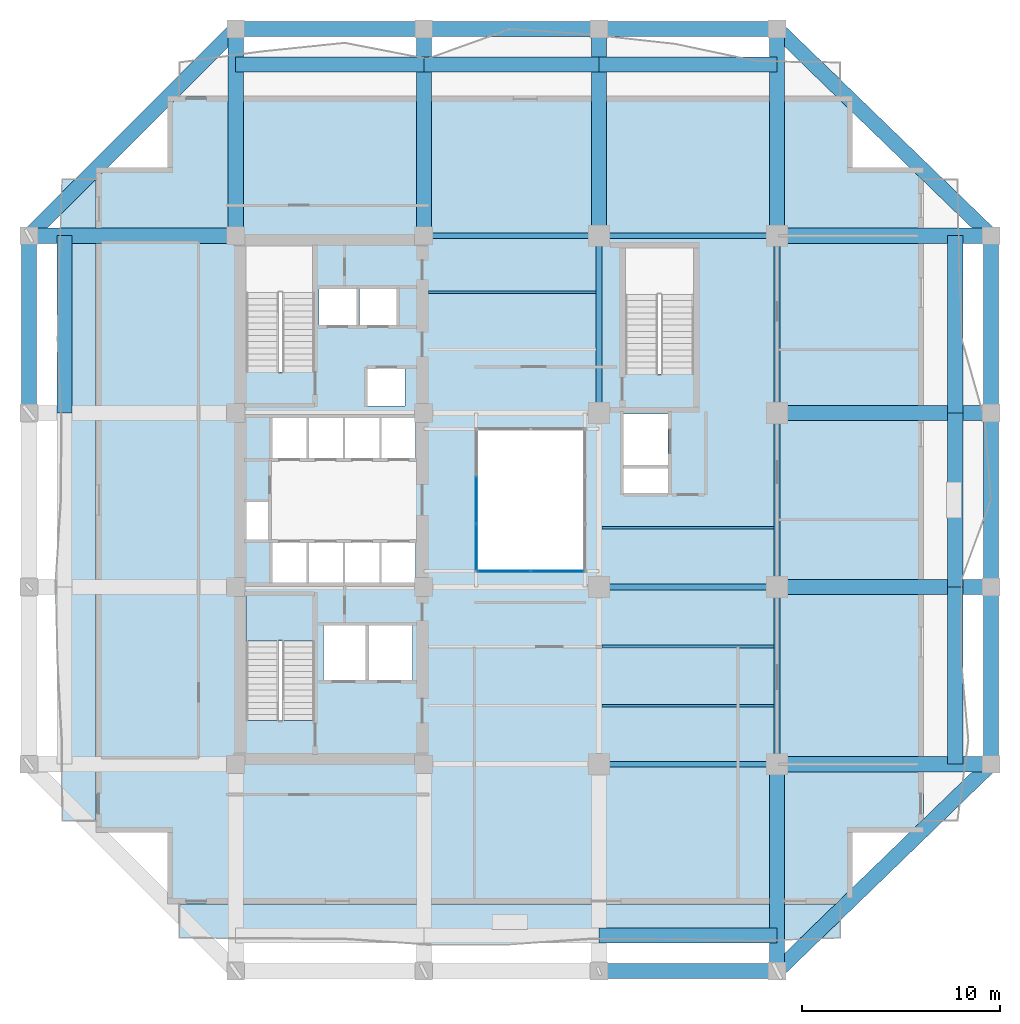
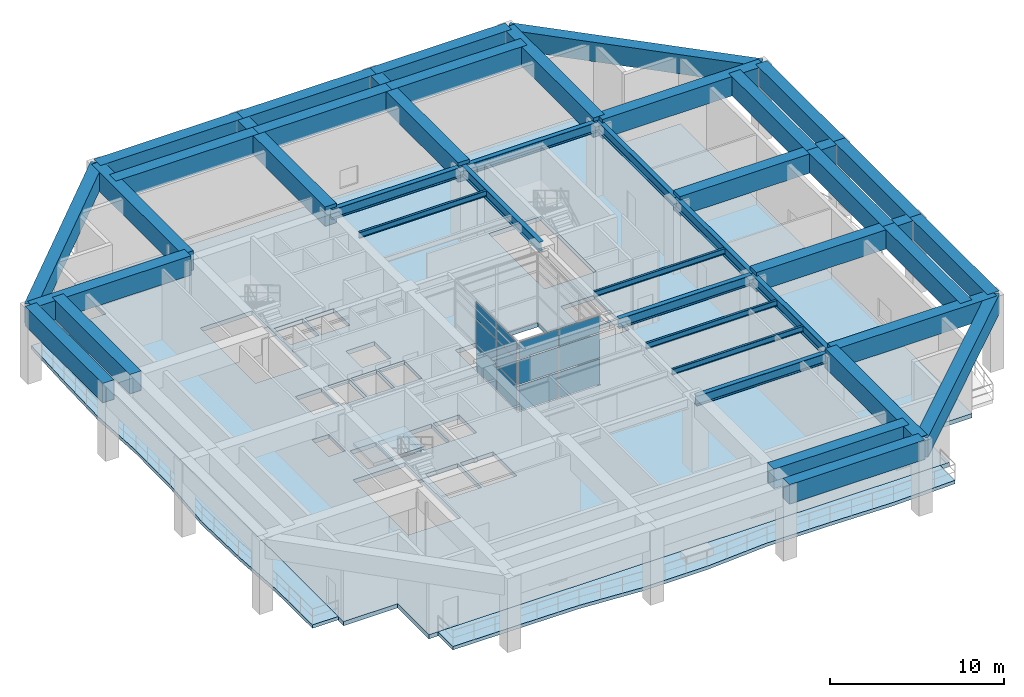
# One storey, part 4 of 13: 41 beams, 12 plates, 4 slabs, 3 elements without a shape of their own.
"""IFC4 building model written with IfcOpenShell, lengths in metres."""

import ifcopenshell
import ifcopenshell.guid

model = None  # the IFC model being written
_history = None  # IfcOwnerHistory: only IFC2X3 demands one
_inside = {}  # id of a spatial element -> (the spatial element, [elements in it])
_under = {}  # id of a project, library or spatial element -> (it, [spatial elements below it])
_declared = {}  # id of a project -> (the project, [libraries it declares])
_typed = {}  # id of a type object -> (the type object, [elements of that type])
_made_of = {}  # id of a material, layer set ... -> (it, [elements and type objects made of it])


def new_model(schema):
    """Start an empty IFC model of exactly this schema.

    Asked for "IFC4X3", IfcOpenShell would pick the latest addendum, in which some entities
    have other attributes; the version numbers below select the first issue.
    IFC2X3 requires an IfcOwnerHistory on every rooted entity: one is made here for all.
    """
    global model, _history
    if schema == "IFC4X3":
        model = ifcopenshell.file(schema_version=(4, 3, 0, 0))
    else:
        model = ifcopenshell.file(schema=schema)
    _inside.clear()
    _under.clear()
    _declared.clear()
    _typed.clear()
    _made_of.clear()
    _history = None
    if model.schema == "IFC2X3":
        org = make("IfcOrganization", Name="unknown")
        user = make(
            "IfcPersonAndOrganization",
            ThePerson=make("IfcPerson", FamilyName="unknown"),
            TheOrganization=org,
        )
        app = make(
            "IfcApplication",
            ApplicationDeveloper=org,
            Version="unknown",
            ApplicationFullName="unknown",
            ApplicationIdentifier="unknown",
        )
        _history = make(
            "IfcOwnerHistory",
            OwningUser=user,
            OwningApplication=app,
            ChangeAction="ADDED",
            CreationDate=0,
        )
    return model


def make(cls, **values):
    """One entity of the class cls with the attributes given. An attribute that is None is left unset."""
    return model.create_entity(
        cls, **{name: value for name, value in values.items() if value is not None}
    )


def rooted(cls, **values):
    """An entity with a GlobalId (a new one), such as an element, a storey or a relation."""
    return make(cls, GlobalId=ifcopenshell.guid.new(), OwnerHistory=_history, **values)


def si_unit(unit_type, name, prefix=None):
    """IfcSIUnit, for example si_unit("LENGTHUNIT", "METRE", prefix="MILLI")."""
    return make("IfcSIUnit", UnitType=unit_type, Prefix=prefix, Name=name)


def assignment(units):
    """IfcUnitAssignment: the units of a project."""
    return None if units is None else make("IfcUnitAssignment", Units=units)


def point(xyz):
    """IfcCartesianPoint."""
    return None if xyz is None else make("IfcCartesianPoint", Coordinates=xyz)


def direction(xyz):
    """IfcDirection."""
    return None if xyz is None else make("IfcDirection", DirectionRatios=xyz)


def frame(location, z_axis=None, x_axis=None):
    """IfcAxis2Placement3D, a coordinate frame: its origin and axes. An axis left out is left unset."""
    return make(
        "IfcAxis2Placement3D",
        Location=point(location),
        Axis=direction(z_axis),
        RefDirection=direction(x_axis),
    )


def frame_2d(location, x_axis=None):
    """IfcAxis2Placement2D, a coordinate frame in the plane: its origin and x axis."""
    return make(
        "IfcAxis2Placement2D", Location=point(location), RefDirection=direction(x_axis)
    )


def origin():
    """The frame at (0, 0, 0) with its axes left unset."""
    return frame((0.0, 0.0, 0.0))


def origin_2d():
    """The frame at (0, 0) in the plane with its x axis left unset."""
    return frame_2d((0.0, 0.0))


def place(relative_to, where):
    """IfcLocalPlacement: puts the frame where relative to a parent placement (None: the world)."""
    return make(
        "IfcLocalPlacement", PlacementRelTo=relative_to, RelativePlacement=where
    )


def context(
    kind, dimensions, precision=None, world=None, true_north=None, identifier=None
):
    """IfcGeometricRepresentationContext, for example the 3D "Model" context."""
    return make(
        "IfcGeometricRepresentationContext",
        ContextIdentifier=identifier,
        ContextType=kind,
        CoordinateSpaceDimension=dimensions,
        Precision=precision,
        WorldCoordinateSystem=world,
        TrueNorth=true_north,
    )


def subcontext(parent, identifier, kind, view, scale=None):
    """IfcGeometricRepresentationSubContext, for example "Body" below "Model"."""
    return make(
        "IfcGeometricRepresentationSubContext",
        ContextIdentifier=identifier,
        ContextType=kind,
        ParentContext=parent,
        TargetScale=scale,
        TargetView=view,
    )


def project(units=None, contexts=None):
    """IfcProject with its units and contexts."""
    return rooted(
        "IfcProject",
        Name="project",
        RepresentationContexts=contexts,
        UnitsInContext=assignment(units),
    )


def spatial(cls, under=None, at=None, **own):
    """A site, building, storey or space (cls), placed at a placement, below another one or the project."""
    s = rooted(cls, ObjectPlacement=at, **own)
    if under is not None:
        _under.setdefault(under.id(), (under, []))[1].append(s)
    return s


def polyline(points):
    """IfcPolyline through the points."""
    return make("IfcPolyline", Points=[point(p) for p in points])


def profile(cls, at=None, kind="AREA", **sizes):
    """A parametric profile (cls). Its sizes go by their IFC names, for example OverallWidth=200.0."""
    return make(cls, ProfileType=kind, Position=at, **sizes)


def rectangle(**sizes):
    """IfcRectangleProfileDef."""
    return profile("IfcRectangleProfileDef", **sizes)


def i_section(**sizes):
    """IfcIShapeProfileDef."""
    return profile("IfcIShapeProfileDef", **sizes)


def outline(outer, holes=None, kind="AREA"):
    """IfcArbitraryClosedProfileDef: a profile drawn as a closed curve; with holes, ...WithVoids."""
    if holes is None:
        return make("IfcArbitraryClosedProfileDef", ProfileType=kind, OuterCurve=outer)
    return make(
        "IfcArbitraryProfileDefWithVoids",
        ProfileType=kind,
        OuterCurve=outer,
        InnerCurves=holes,
    )


def extrude(swept, where, along, depth):
    """IfcExtrudedAreaSolid: the profile swept, set in the frame where, extruded along a direction by depth."""
    return make(
        "IfcExtrudedAreaSolid",
        SweptArea=swept,
        Position=where,
        ExtrudedDirection=direction(along),
        Depth=depth,
    )


def shape(context_of_items, identifier, shape_type, items):
    """IfcShapeRepresentation: the items that make up one representation, for example the "Body"."""
    return make(
        "IfcShapeRepresentation",
        ContextOfItems=context_of_items,
        RepresentationIdentifier=identifier,
        RepresentationType=shape_type,
        Items=items,
    )


def material(Name=None, Category=None):
    """IfcMaterial."""
    return make("IfcMaterial", Name=Name, Category=Category)


def layer(
    of_material, thickness, ventilated=None, Name=None, Category=None, Priority=None
):
    """IfcMaterialLayer: one layer of a wall or slab, of a material (None: an air gap)."""
    return make(
        "IfcMaterialLayer",
        Material=of_material,
        LayerThickness=thickness,
        IsVentilated=ventilated,
        Name=Name,
        Category=Category,
        Priority=Priority,
    )


def layer_set(layers, Name=None):
    """IfcMaterialLayerSet."""
    return make("IfcMaterialLayerSet", MaterialLayers=layers, LayerSetName=Name)


def material_profile(
    of_material, cross_section, Name=None, Category=None, Priority=None
):
    """IfcMaterialProfile: a cross section and its material."""
    return make(
        "IfcMaterialProfile",
        Name=Name,
        Material=of_material,
        Profile=cross_section,
        Priority=Priority,
        Category=Category,
    )


def profile_set(profiles, Name=None, composite=None):
    """IfcMaterialProfileSet."""
    return make(
        "IfcMaterialProfileSet",
        Name=Name,
        MaterialProfiles=profiles,
        CompositeProfile=composite,
    )


def made_of(thing, what):
    """Note that an element or type object is made of a material, layer set ...; save() writes the relation."""
    if what is not None:
        _made_of.setdefault(what.id(), (what, []))[1].append(thing)
    return thing


def type_object(cls, material=None, **own):
    """A type object (cls), such as IfcWallType, which elements share."""
    return made_of(rooted(cls, **own), material)


def element(
    cls,
    number,
    at=None,
    inside=None,
    cuts=None,
    type_object=None,
    material=None,
    context=None,
    identifier="Body",
    shape_type=None,
    held_by="IfcProductDefinitionShape",
    body=None,
    shapes=None,
    **own,
):
    """One element of the class cls, such as IfcWall. Its Tag is "e" and its number.

    at: its placement. inside: the storey or other place that contains it. cuts: it is an
    opening in that element (IfcRelVoidsElement). A single representation is given by context,
    identifier, shape_type and body (its items); several are given by shapes. held_by: the class
    of the entity that holds the representations. save() writes the other relations.
    """
    e = rooted(cls, Tag="e%d" % number, ObjectPlacement=at, **own)
    if body is not None:
        shapes = [shape(context, identifier, shape_type, body)]
    if shapes is not None:
        e.Representation = make(held_by, Representations=shapes)
    if inside is not None:
        _inside.setdefault(inside.id(), (inside, []))[1].append(e)
    if cuts is not None:
        rooted(
            "IfcRelVoidsElement", RelatingBuildingElement=cuts, RelatedOpeningElement=e
        )
    if type_object is not None:
        _typed.setdefault(type_object.id(), (type_object, []))[1].append(e)
    return made_of(e, material)


def aggregate(whole, parts):
    """IfcRelAggregates: a whole, such as a stair, and the parts it consists of."""
    return rooted("IfcRelAggregates", RelatingObject=whole, RelatedObjects=parts)


def save(model, path):
    """Write the relations noted so far, then the file.

    IfcRelAggregates (storeys below a building ...), IfcRelContainedInSpatialStructure (elements
    in a storey), IfcRelDefinesByType, IfcRelAssociatesMaterial and IfcRelDeclares: one each for
    every whole, place, type object, material and project.
    """
    for whole, parts in _under.values():
        aggregate(whole, parts)
    for where, things in _inside.values():
        rooted(
            "IfcRelContainedInSpatialStructure",
            RelatedElements=things,
            RelatingStructure=where,
        )
    for kind, things in _typed.values():
        rooted("IfcRelDefinesByType", RelatedObjects=things, RelatingType=kind)
    for what, things in _made_of.values():
        rooted("IfcRelAssociatesMaterial", RelatedObjects=things, RelatingMaterial=what)
    for by, libraries in _declared.values():
        rooted("IfcRelDeclares", RelatingContext=by, RelatedDefinitions=libraries)
    model.write(path)


model = new_model("IFC4")

# Units and contexts
model_context = context("Model", 3, precision=1e-05, world=origin(), true_north=direction((0.0, 1.0)))
body_context = subcontext(model_context, "Body", "Model", "MODEL_VIEW")
ifc_project = project(units=[si_unit("LENGTHUNIT", "METRE"), si_unit("AREAUNIT", "SQUARE_METRE"), si_unit("VOLUMEUNIT", "CUBIC_METRE"), si_unit("PLANEANGLEUNIT", "RADIAN"), si_unit("MASSUNIT", "GRAM", prefix="KILO")], contexts=[model_context])

# Site, building, storey
site_placement = place(None, origin())
site = spatial("IfcSite", under=ifc_project, at=site_placement, CompositionType="ELEMENT")
building_placement = place(site_placement, origin())
building = spatial("IfcBuilding", under=site, at=building_placement, Name="Kundavana Baori Tower", CompositionType="ELEMENT")
storey_placement = place(building_placement, frame((0.0, 0.0, 98.800048828125)))
storey = spatial("IfcBuildingStorey", under=building, at=storey_placement, Name="L23", CompositionType="ELEMENT", Elevation=98.800048828125)

# Beams
ifc_material_1 = material(Name="Structural Steel S355JR", Category="steel")
ifc_material_profile_1 = material_profile(ifc_material_1, i_section(OverallWidth=0.139892578125, OverallDepth=0.39990234375, WebThickness=0.0087890625, FlangeThickness=0.01611328125, FilletRadius=0.013916015625, at=origin_2d()), Name="ISMB 400")
ifc_profile_set_1 = profile_set([ifc_material_profile_1], Name="Structural Steel S355JR")
beam_type_1 = type_object("IfcBeamType", Name="BM-JST-400", PredefinedType="JOIST", material=ifc_profile_set_1)
beam_1_placement = place(storey_placement, frame((25.179931640625, 39.10009765625, 4.75), z_axis=(1.0, 0.0, 0.0), x_axis=(0.0, 1.0, 0.0)))
element("IfcBeam", 1, at=beam_1_placement, inside=storey, type_object=beam_type_1, Name="L23 Central Bay Composite Floor Joist C4", PredefinedType="JOIST", context=body_context, shape_type="SweptSolid", body=[
    extrude(i_section(OverallWidth=0.139892578125, OverallDepth=0.39990234375, WebThickness=0.0087890625, FlangeThickness=0.01611328125, FilletRadius=0.013916015625, at=origin_2d()), origin(), (0.0, 0.0, 1.0), 8.469970703125),
])
for number, where, z_axis, x_axis, name in (
    (2, (33.949951171875, 18.199951171875, 4.75), (1.0, 0.0, 0.0), (0.0, 1.0, 0.0), "L23 East Bay Composite Floor Joist E1"),
    (3, (33.949951171875, 21.199951171875, 4.75), (1.0, 0.0, 0.0), (0.0, 1.0, 0.0), "L23 East Bay Composite Floor Joist E2"),
    (4, (33.949951171875, 27.199951171875, 4.75), (1.0, 0.0, 0.0), (0.0, 1.0, 0.0), "L23 East Bay Composite Floor Joist E3"),
):
    element("IfcBeam", number, at=place(storey_placement, frame(where, z_axis=z_axis, x_axis=x_axis)), inside=storey, type_object=beam_type_1, Name=name, PredefinedType="JOIST", context=body_context, shape_type="SweptSolid", body=[
        extrude(i_section(OverallWidth=0.139892578125, OverallDepth=0.39990234375, WebThickness=0.0087890625, FlangeThickness=0.01611328125, FilletRadius=0.013916015625, at=origin_2d()), origin(), (0.0, 0.0, 1.0), 8.699951171875),
    ])
ifc_material_2 = material(Name="Structural Steel S355JR", Category="steel")
ifc_material_profile_2 = material_profile(ifc_material_2, i_section(OverallWidth=0.300048828125, OverallDepth=0.699951171875, WebThickness=0.014404296875, FlangeThickness=0.02392578125, FilletRadius=0.02392578125, at=origin_2d()), Name="NPB 700x300x170")
ifc_profile_set_2 = profile_set([ifc_material_profile_2], Name="Structural Steel S355JR")
beam_type_2 = type_object("IfcBeamType", Name="BM-ST-700", PredefinedType="BEAM", material=ifc_profile_set_2)
for number, where, z_axis, x_axis, name in (
    (5, (33.800048828125, 15.25, 4.599853515625), (1.0, 0.0, 0.0), (0.0, 1.0, 0.0), "L23 Primary Grid Girder GX-1-3"),
    (6, (33.800048828125, 24.199951171875, 4.599853515625), (1.0, 0.0, 0.0), (0.0, 1.0, 0.0), "L23 Primary Grid Girder GX-2-3"),
):
    element("IfcBeam", number, at=place(storey_placement, frame(where, z_axis=z_axis, x_axis=x_axis)), inside=storey, type_object=beam_type_2, Name=name, PredefinedType="BEAM", context=body_context, shape_type="SweptSolid", body=[
        extrude(i_section(OverallWidth=0.300048828125, OverallDepth=0.699951171875, WebThickness=0.014404296875, FlangeThickness=0.02392578125, FilletRadius=0.02392578125, at=origin_2d()), origin(), (0.0, 0.0, 1.0), 9.0),
    ])
beam_2_placement = place(storey_placement, frame((24.949951171875, 41.949951171875, 4.599853515625), z_axis=(1.0, 0.0, 0.0), x_axis=(0.0, 1.0, 0.0)))
element("IfcBeam", 7, at=beam_2_placement, inside=storey, type_object=beam_type_2, Name="L23 Primary Grid Girder GX-4-2", PredefinedType="BEAM", context=body_context, shape_type="SweptSolid", body=[
    extrude(i_section(OverallWidth=0.300048828125, OverallDepth=0.699951171875, WebThickness=0.014404296875, FlangeThickness=0.02392578125, FilletRadius=0.02392578125, at=origin_2d()), origin(), (0.0, 0.0, 1.0), 8.85009765625),
])
beam_3_placement = place(storey_placement, frame((33.800048828125, 41.949951171875, 4.599853515625), z_axis=(1.0, 0.0, 0.0), x_axis=(0.0, 1.0, 0.0)))
element("IfcBeam", 8, at=beam_3_placement, inside=storey, type_object=beam_type_2, Name="L23 Primary Grid Girder GX-4-3", PredefinedType="BEAM", context=body_context, shape_type="SweptSolid", body=[
    extrude(i_section(OverallWidth=0.300048828125, OverallDepth=0.699951171875, WebThickness=0.014404296875, FlangeThickness=0.02392578125, FilletRadius=0.02392578125, at=origin_2d()), origin(), (0.0, 0.0, 1.0), 9.0),
])
for number, where, z_axis, x_axis, name in (
    (9, (33.800048828125, 33.0, 4.599853515625), (0.0, 1.0, 0.0), (-1.0, 0.0, 0.0), "L23 Primary Grid Girder GY-3-3"),
    (10, (42.800048828125, 15.25, 4.599853515625), (0.0, 1.0, 0.0), (-1.0, 0.0, 0.0), "L23 Primary Grid Girder GY-4-1"),
):
    element("IfcBeam", number, at=place(storey_placement, frame(where, z_axis=z_axis, x_axis=x_axis)), inside=storey, type_object=beam_type_2, Name=name, PredefinedType="BEAM", context=body_context, shape_type="SweptSolid", body=[
        extrude(i_section(OverallWidth=0.300048828125, OverallDepth=0.699951171875, WebThickness=0.014404296875, FlangeThickness=0.02392578125, FilletRadius=0.02392578125, at=origin_2d()), origin(), (0.0, 0.0, 1.0), 8.949951171875),
    ])
beam_4_placement = place(storey_placement, frame((42.800048828125, 24.199951171875, 4.599853515625), z_axis=(0.0, 1.0, 0.0), x_axis=(-1.0, 0.0, 0.0)))
element("IfcBeam", 11, at=beam_4_placement, inside=storey, type_object=beam_type_2, Name="L23 Primary Grid Girder GY-4-2", PredefinedType="BEAM", context=body_context, shape_type="SweptSolid", body=[
    extrude(i_section(OverallWidth=0.300048828125, OverallDepth=0.699951171875, WebThickness=0.014404296875, FlangeThickness=0.02392578125, FilletRadius=0.02392578125, at=origin_2d()), origin(), (0.0, 0.0, 1.0), 8.800048828125),
])
beam_5_placement = place(storey_placement, frame((42.800048828125, 33.0, 4.599853515625), z_axis=(0.0, 1.0, 0.0), x_axis=(-1.0, 0.0, 0.0)))
element("IfcBeam", 12, at=beam_5_placement, inside=storey, type_object=beam_type_2, Name="L23 Primary Grid Girder GY-4-3", PredefinedType="BEAM", context=body_context, shape_type="SweptSolid", body=[
    extrude(i_section(OverallWidth=0.300048828125, OverallDepth=0.699951171875, WebThickness=0.014404296875, FlangeThickness=0.02392578125, FilletRadius=0.02392578125, at=origin_2d()), origin(), (0.0, 0.0, 1.0), 8.949951171875),
])
ifc_material_3 = material(Name="Concrete C50/60", Category="concrete")
ifc_material_profile_3 = material_profile(ifc_material_3, rectangle(XDim=0.760009765625, YDim=1.360107421875, at=origin_2d()), Name="BM-TG-3")
ifc_profile_set_3 = profile_set([ifc_material_profile_3], Name="Concrete C50/60")
beam_type_3 = type_object("IfcBeamType", Name="BM-TG-3", PredefinedType="USERDEFINED", material=ifc_profile_set_3)
beam_6_placement = place(storey_placement, frame((33.800048828125, 4.800048828125, 4.52001953125), z_axis=(1.0, 0.0, 0.0), x_axis=(0.0, 1.0, 0.0)))
element("IfcBeam", 13, at=beam_6_placement, inside=storey, type_object=beam_type_3, Name="L23 Perimeter Frame Ring Beam S3", ObjectType="TRANSFER GIRDER", PredefinedType="USERDEFINED", context=body_context, shape_type="SweptSolid", body=[
    extrude(rectangle(XDim=0.760009765625, YDim=1.360107421875, at=origin_2d()), origin(), (0.0, 0.0, 1.0), 9.0),
])
beam_7_placement = place(storey_placement, frame((15.449951171875, 52.39990234375, 4.52001953125), z_axis=(1.0, 0.0, 0.0), x_axis=(0.0, 1.0, 0.0)))
element("IfcBeam", 14, at=beam_7_placement, inside=storey, type_object=beam_type_3, Name="L23 Perimeter Frame Ring Beam N1", ObjectType="TRANSFER GIRDER", PredefinedType="USERDEFINED", context=body_context, shape_type="SweptSolid", body=[
    extrude(rectangle(XDim=0.760009765625, YDim=1.360107421875, at=origin_2d()), origin(), (0.0, 0.0, 1.0), 9.5),
])
beam_8_placement = place(storey_placement, frame((24.949951171875, 52.39990234375, 4.52001953125), z_axis=(1.0, 0.0, 0.0), x_axis=(0.0, 1.0, 0.0)))
element("IfcBeam", 15, at=beam_8_placement, inside=storey, type_object=beam_type_3, Name="L23 Perimeter Frame Ring Beam N2", ObjectType="TRANSFER GIRDER", PredefinedType="USERDEFINED", context=body_context, shape_type="SweptSolid", body=[
    extrude(rectangle(XDim=0.760009765625, YDim=1.360107421875, at=origin_2d()), origin(), (0.0, 0.0, 1.0), 8.85009765625),
])
beam_9_placement = place(storey_placement, frame((33.800048828125, 52.39990234375, 4.52001953125), z_axis=(1.0, 0.0, 0.0), x_axis=(0.0, 1.0, 0.0)))
element("IfcBeam", 16, at=beam_9_placement, inside=storey, type_object=beam_type_3, Name="L23 Perimeter Frame Ring Beam N3", ObjectType="TRANSFER GIRDER", PredefinedType="USERDEFINED", context=body_context, shape_type="SweptSolid", body=[
    extrude(rectangle(XDim=0.760009765625, YDim=1.360107421875, at=origin_2d()), origin(), (0.0, 0.0, 1.0), 9.0),
])
for number, where, z_axis, x_axis, name in (
    (17, (5.0, 33.0, 4.52001953125), (0.0, 1.0, 0.0), (-1.0, 0.0, 0.0), "L23 Perimeter Frame Ring Beam W3"),
    (18, (53.60009765625, 15.25, 4.52001953125), (0.0, 1.0, 0.0), (-1.0, 0.0, 0.0), "L23 Perimeter Frame Ring Beam E1"),
):
    element("IfcBeam", number, at=place(storey_placement, frame(where, z_axis=z_axis, x_axis=x_axis)), inside=storey, type_object=beam_type_3, Name=name, ObjectType="TRANSFER GIRDER", PredefinedType="USERDEFINED", context=body_context, shape_type="SweptSolid", body=[
        extrude(rectangle(XDim=0.760009765625, YDim=1.360107421875, at=origin_2d()), origin(), (0.0, 0.0, 1.0), 8.949951171875),
    ])
beam_10_placement = place(storey_placement, frame((53.60009765625, 24.199951171875, 4.52001953125), z_axis=(0.0, 1.0, 0.0), x_axis=(-1.0, 0.0, 0.0)))
element("IfcBeam", 19, at=beam_10_placement, inside=storey, type_object=beam_type_3, Name="L23 Perimeter Frame Ring Beam E2", ObjectType="TRANSFER GIRDER", PredefinedType="USERDEFINED", context=body_context, shape_type="SweptSolid", body=[
    extrude(rectangle(XDim=0.760009765625, YDim=1.360107421875, at=origin_2d()), origin(), (0.0, 0.0, 1.0), 8.800048828125),
])
beam_11_placement = place(storey_placement, frame((53.60009765625, 33.0, 4.52001953125), z_axis=(0.0, 1.0, 0.0), x_axis=(-1.0, 0.0, 0.0)))
element("IfcBeam", 20, at=beam_11_placement, inside=storey, type_object=beam_type_3, Name="L23 Perimeter Frame Ring Beam E3", ObjectType="TRANSFER GIRDER", PredefinedType="USERDEFINED", context=body_context, shape_type="SweptSolid", body=[
    extrude(rectangle(XDim=0.760009765625, YDim=1.360107421875, at=origin_2d()), origin(), (0.0, 0.0, 1.0), 8.949951171875),
])
beam_12_placement = place(storey_placement, frame((42.800048828125, 4.800048828125, 4.52001953125), z_axis=(0.718658968601, 0.695362701653, 0.0), x_axis=(-0.695362701653, 0.718658968601, 0.0)))
element("IfcBeam", 21, at=beam_12_placement, inside=storey, type_object=beam_type_3, Name="L23 Notched Corner Perimeter Beam SE", ObjectType="TRANSFER GIRDER", PredefinedType="USERDEFINED", context=body_context, shape_type="SweptSolid", body=[
    extrude(rectangle(XDim=0.760009765625, YDim=1.360107421875, at=origin_2d()), origin(), (0.0, 0.0, 1.0), 15.028076171875),
])
beam_13_placement = place(storey_placement, frame((15.449951171875, 52.39990234375, 4.52001953125), z_axis=(-0.707106781187, -0.707106781187, 0.0), x_axis=(0.707106781187, -0.707106781187, 0.0)))
element("IfcBeam", 22, at=beam_13_placement, inside=storey, type_object=beam_type_3, Name="L23 Notched Corner Perimeter Beam NW", ObjectType="TRANSFER GIRDER", PredefinedType="USERDEFINED", context=body_context, shape_type="SweptSolid", body=[
    extrude(rectangle(XDim=0.760009765625, YDim=1.360107421875, at=origin_2d()), origin(), (0.0, 0.0, 1.0), 14.778564453125),
])
beam_14_placement = place(storey_placement, frame((42.800048828125, 52.39990234375, 4.52001953125), z_axis=(0.718658968601, -0.695362701653, 0.0), x_axis=(0.695362701653, 0.718658968601, 0.0)))
element("IfcBeam", 23, at=beam_14_placement, inside=storey, type_object=beam_type_3, Name="L23 Notched Corner Perimeter Beam NE", ObjectType="TRANSFER GIRDER", PredefinedType="USERDEFINED", context=body_context, shape_type="SweptSolid", body=[
    extrude(rectangle(XDim=0.760009765625, YDim=1.360107421875, at=origin_2d()), origin(), (0.0, 0.0, 1.0), 15.028076171875),
])
for number, where, z_axis, x_axis, name in (
    (24, (15.449951171875, 41.949951171875, 4.52001953125), (0.0, 1.0, 0.0), (-1.0, 0.0, 0.0), "L23 North Radial Transfer Girder N1"),
    (25, (24.949951171875, 41.949951171875, 4.52001953125), (0.0, 1.0, 0.0), (-1.0, 0.0, 0.0), "L23 North Radial Transfer Girder N2"),
    (26, (33.800048828125, 41.949951171875, 4.52001953125), (0.0, 1.0, 0.0), (-1.0, 0.0, 0.0), "L23 North Radial Transfer Girder N3"),
    (27, (42.800048828125, 15.25, 4.52001953125), (0.0, -1.0, 0.0), (1.0, 0.0, 0.0), "L23 South Radial Transfer Girder S4"),
    (28, (42.800048828125, 41.949951171875, 4.52001953125), (0.0, 1.0, 0.0), (-1.0, 0.0, 0.0), "L23 North Radial Transfer Girder N4"),
):
    element("IfcBeam", number, at=place(storey_placement, frame(where, z_axis=z_axis, x_axis=x_axis)), inside=storey, type_object=beam_type_3, Name=name, ObjectType="TRANSFER GIRDER", PredefinedType="USERDEFINED", context=body_context, shape_type="SweptSolid", body=[
        extrude(rectangle(XDim=0.760009765625, YDim=1.360107421875, at=origin_2d()), origin(), (0.0, 0.0, 1.0), 10.449951171875),
    ])
for number, where, z_axis, x_axis, name in (
    (29, (42.800048828125, 15.25, 4.52001953125), (1.0, 0.0, 0.0), (0.0, 1.0, 0.0), "L23 East Radial Transfer Girder E1"),
    (30, (42.800048828125, 24.199951171875, 4.52001953125), (1.0, 0.0, 0.0), (0.0, 1.0, 0.0), "L23 East Radial Transfer Girder E2"),
    (31, (42.800048828125, 33.0, 4.52001953125), (1.0, 0.0, 0.0), (0.0, 1.0, 0.0), "L23 East Radial Transfer Girder E3"),
):
    element("IfcBeam", number, at=place(storey_placement, frame(where, z_axis=z_axis, x_axis=x_axis)), inside=storey, type_object=beam_type_3, Name=name, ObjectType="TRANSFER GIRDER", PredefinedType="USERDEFINED", context=body_context, shape_type="SweptSolid", body=[
        extrude(rectangle(XDim=0.760009765625, YDim=1.360107421875, at=origin_2d()), origin(), (0.0, 0.0, 1.0), 10.800048828125),
    ])
beam_15_placement = place(storey_placement, frame((15.449951171875, 41.949951171875, 4.52001953125), z_axis=(-1.0, 0.0, 0.0), x_axis=(0.0, -1.0, 0.0)))
element("IfcBeam", 32, at=beam_15_placement, inside=storey, type_object=beam_type_3, Name="L23 West Radial Transfer Girder W4", ObjectType="TRANSFER GIRDER", PredefinedType="USERDEFINED", context=body_context, shape_type="SweptSolid", body=[
    extrude(rectangle(XDim=0.760009765625, YDim=1.360107421875, at=origin_2d()), origin(), (0.0, 0.0, 1.0), 10.449951171875),
])
beam_16_placement = place(storey_placement, frame((42.800048828125, 41.949951171875, 4.52001953125), z_axis=(1.0, 0.0, 0.0), x_axis=(0.0, 1.0, 0.0)))
element("IfcBeam", 33, at=beam_16_placement, inside=storey, type_object=beam_type_3, Name="L23 East Radial Transfer Girder E4", ObjectType="TRANSFER GIRDER", PredefinedType="USERDEFINED", context=body_context, shape_type="SweptSolid", body=[
    extrude(rectangle(XDim=0.760009765625, YDim=1.360107421875, at=origin_2d()), origin(), (0.0, 0.0, 1.0), 10.800048828125),
])
beam_17_placement = place(storey_placement, frame((33.800048828125, 6.60009765625, 4.52001953125), z_axis=(1.0, 0.0, 0.0), x_axis=(0.0, 1.0, 0.0)))
element("IfcBeam", 34, at=beam_17_placement, inside=storey, type_object=beam_type_3, Name="L23 Setback Collar Transfer Girder S3", ObjectType="TRANSFER GIRDER", PredefinedType="USERDEFINED", context=body_context, shape_type="SweptSolid", body=[
    extrude(rectangle(XDim=0.760009765625, YDim=1.360107421875, at=origin_2d()), origin(), (0.0, 0.0, 1.0), 9.0),
])
beam_18_placement = place(storey_placement, frame((15.449951171875, 50.60009765625, 4.52001953125), z_axis=(1.0, 0.0, 0.0), x_axis=(0.0, 1.0, 0.0)))
element("IfcBeam", 35, at=beam_18_placement, inside=storey, type_object=beam_type_3, Name="L23 Setback Collar Transfer Girder N1", ObjectType="TRANSFER GIRDER", PredefinedType="USERDEFINED", context=body_context, shape_type="SweptSolid", body=[
    extrude(rectangle(XDim=0.760009765625, YDim=1.360107421875, at=origin_2d()), origin(), (0.0, 0.0, 1.0), 9.5),
])
beam_19_placement = place(storey_placement, frame((24.949951171875, 50.60009765625, 4.52001953125), z_axis=(1.0, 0.0, 0.0), x_axis=(0.0, 1.0, 0.0)))
element("IfcBeam", 36, at=beam_19_placement, inside=storey, type_object=beam_type_3, Name="L23 Setback Collar Transfer Girder N2", ObjectType="TRANSFER GIRDER", PredefinedType="USERDEFINED", context=body_context, shape_type="SweptSolid", body=[
    extrude(rectangle(XDim=0.760009765625, YDim=1.360107421875, at=origin_2d()), origin(), (0.0, 0.0, 1.0), 8.85009765625),
])
beam_20_placement = place(storey_placement, frame((33.800048828125, 50.60009765625, 4.52001953125), z_axis=(1.0, 0.0, 0.0), x_axis=(0.0, 1.0, 0.0)))
element("IfcBeam", 37, at=beam_20_placement, inside=storey, type_object=beam_type_3, Name="L23 Setback Collar Transfer Girder N3", ObjectType="TRANSFER GIRDER", PredefinedType="USERDEFINED", context=body_context, shape_type="SweptSolid", body=[
    extrude(rectangle(XDim=0.760009765625, YDim=1.360107421875, at=origin_2d()), origin(), (0.0, 0.0, 1.0), 9.0),
])
for number, where, z_axis, x_axis, name in (
    (38, (6.800048828125, 33.0, 4.52001953125), (0.0, 1.0, 0.0), (-1.0, 0.0, 0.0), "L23 Setback Collar Transfer Girder W3"),
    (39, (51.800048828125, 15.25, 4.52001953125), (0.0, 1.0, 0.0), (-1.0, 0.0, 0.0), "L23 Setback Collar Transfer Girder E1"),
):
    element("IfcBeam", number, at=place(storey_placement, frame(where, z_axis=z_axis, x_axis=x_axis)), inside=storey, type_object=beam_type_3, Name=name, ObjectType="TRANSFER GIRDER", PredefinedType="USERDEFINED", context=body_context, shape_type="SweptSolid", body=[
        extrude(rectangle(XDim=0.760009765625, YDim=1.360107421875, at=origin_2d()), origin(), (0.0, 0.0, 1.0), 8.949951171875),
    ])
beam_21_placement = place(storey_placement, frame((51.800048828125, 24.199951171875, 4.52001953125), z_axis=(0.0, 1.0, 0.0), x_axis=(-1.0, 0.0, 0.0)))
element("IfcBeam", 40, at=beam_21_placement, inside=storey, type_object=beam_type_3, Name="L23 Setback Collar Transfer Girder E2", ObjectType="TRANSFER GIRDER", PredefinedType="USERDEFINED", context=body_context, shape_type="SweptSolid", body=[
    extrude(rectangle(XDim=0.760009765625, YDim=1.360107421875, at=origin_2d()), origin(), (0.0, 0.0, 1.0), 8.800048828125),
])
beam_22_placement = place(storey_placement, frame((51.800048828125, 33.0, 4.52001953125), z_axis=(0.0, 1.0, 0.0), x_axis=(-1.0, 0.0, 0.0)))
element("IfcBeam", 41, at=beam_22_placement, inside=storey, type_object=beam_type_3, Name="L23 Setback Collar Transfer Girder E3", ObjectType="TRANSFER GIRDER", PredefinedType="USERDEFINED", context=body_context, shape_type="SweptSolid", body=[
    extrude(rectangle(XDim=0.760009765625, YDim=1.360107421875, at=origin_2d()), origin(), (0.0, 0.0, 1.0), 8.949951171875),
])

# Curtain wall, plates
ifc_material_4 = material(Name="Thermally Broken Anodised Aluminium Framing", Category="aluminium")
ifc_layer_1 = layer(ifc_material_4, 0.205078125, Name="CW-SYS-4")
ifc_layer_set_1 = layer_set([ifc_layer_1], Name="Thermally Broken Anodised Aluminium Framing")
curtain_wall_type = type_object("IfcCurtainWallType", Name="CW-SYS-4", PredefinedType="NOTDEFINED", material=ifc_layer_set_1)
curtain_wall_1_placement = place(storey_placement, origin())
curtain_wall_1 = element("IfcCurtainWall", 42, at=curtain_wall_1_placement, inside=storey, type_object=curtain_wall_type, Name="L23 Atrium Glazed Curtain Wall S", PredefinedType="NOTDEFINED")
ifc_material_5 = material(Name="Double-Glazed Solar-Control Low-E Insulated Glass", Category="glass")
ifc_layer_2 = layer(ifc_material_5, 0.028076171875, Name="CW-PNL-GLS28")
ifc_layer_set_2 = layer_set([ifc_layer_2], Name="Double-Glazed Solar-Control Low-E Insulated Glass")
plate_type = type_object("IfcPlateType", Name="CW-PNL-GLS28", PredefinedType="CURTAIN_PANEL", material=ifc_layer_set_2)
plate_1_placement = place(storey_placement, frame((28.9912109375, 25.0, 0.06494140625), z_axis=(0.0, 0.0, 1.0), x_axis=(1.0, 0.0, 0.0)))
plate_1 = element("IfcPlate", 43, at=plate_1_placement, type_object=plate_type, Name="CW4 panel 1.1", PredefinedType="CURTAIN_PANEL", context=body_context, shape_type="SweptSolid", body=[
    extrude(rectangle(XDim=2.652587890625, YDim=0.028076171875, at=origin_2d()), origin(), (0.0, 0.0, 1.0), 1.783447265625),
])
plate_2_placement = place(storey_placement, frame((28.9912109375, 25.0, 1.91357421875), z_axis=(0.0, 0.0, 1.0), x_axis=(1.0, 0.0, 0.0)))
plate_2 = element("IfcPlate", 44, at=plate_2_placement, type_object=plate_type, Name="CW4 panel 1.2", PredefinedType="CURTAIN_PANEL", context=body_context, shape_type="SweptSolid", body=[
    extrude(rectangle(XDim=2.652587890625, YDim=0.028076171875, at=origin_2d()), origin(), (0.0, 0.0, 1.0), 1.717041015625),
])
plate_3_placement = place(storey_placement, frame((28.9912109375, 25.0, 3.695556640625), z_axis=(0.0, 0.0, 1.0), x_axis=(1.0, 0.0, 0.0)))
plate_3 = element("IfcPlate", 45, at=plate_3_placement, type_object=plate_type, Name="CW4 panel 1.3", PredefinedType="CURTAIN_PANEL", context=body_context, shape_type="SweptSolid", body=[
    extrude(rectangle(XDim=2.652587890625, YDim=0.028076171875, at=origin_2d()), origin(), (0.0, 0.0, 1.0), 1.189453125),
])
plate_4_placement = place(storey_placement, frame((31.708740234375, 25.0, 0.06494140625), z_axis=(0.0, 0.0, 1.0), x_axis=(1.0, 0.0, 0.0)))
plate_4 = element("IfcPlate", 46, at=plate_4_placement, type_object=plate_type, Name="CW4 panel 2.1", PredefinedType="CURTAIN_PANEL", context=body_context, shape_type="SweptSolid", body=[
    extrude(rectangle(XDim=2.652587890625, YDim=0.028076171875, at=origin_2d()), origin(), (0.0, 0.0, 1.0), 1.783447265625),
])
plate_5_placement = place(storey_placement, frame((31.708740234375, 25.0, 1.91357421875), z_axis=(0.0, 0.0, 1.0), x_axis=(1.0, 0.0, 0.0)))
plate_5 = element("IfcPlate", 47, at=plate_5_placement, type_object=plate_type, Name="CW4 panel 2.2", PredefinedType="CURTAIN_PANEL", context=body_context, shape_type="SweptSolid", body=[
    extrude(rectangle(XDim=2.652587890625, YDim=0.028076171875, at=origin_2d()), origin(), (0.0, 0.0, 1.0), 1.717041015625),
])
plate_6_placement = place(storey_placement, frame((31.708740234375, 25.0, 3.695556640625), z_axis=(0.0, 0.0, 1.0), x_axis=(1.0, 0.0, 0.0)))
plate_6 = element("IfcPlate", 48, at=plate_6_placement, type_object=plate_type, Name="CW4 panel 2.3", PredefinedType="CURTAIN_PANEL", context=body_context, shape_type="SweptSolid", body=[
    extrude(rectangle(XDim=2.652587890625, YDim=0.028076171875, at=origin_2d()), origin(), (0.0, 0.0, 1.0), 1.189453125),
])
aggregate(curtain_wall_1, [plate_1, plate_2, plate_3, plate_4, plate_5, plate_6])

curtain_wall_2_placement = place(storey_placement, origin())
curtain_wall_2 = element("IfcCurtainWall", 49, at=curtain_wall_2_placement, inside=storey, type_object=curtain_wall_type, Name="L23 Atrium Glazed Curtain Wall W", PredefinedType="NOTDEFINED")
plate_7_placement = place(storey_placement, frame((27.60009765625, 28.60009765625, 0.06494140625), z_axis=(0.0, 0.0, 1.0), x_axis=(0.0, -1.0, 0.0)))
plate_7 = element("IfcPlate", 50, at=plate_7_placement, type_object=plate_type, Name="CW4 panel 2.1", PredefinedType="CURTAIN_PANEL", context=body_context, shape_type="SweptSolid", body=[
    extrude(rectangle(XDim=2.3349609375, YDim=0.028076171875, at=origin_2d()), origin(), (0.0, 0.0, 1.0), 1.783447265625),
])
plate_8_placement = place(storey_placement, frame((27.60009765625, 28.60009765625, 1.91357421875), z_axis=(0.0, 0.0, 1.0), x_axis=(0.0, -1.0, 0.0)))
plate_8 = element("IfcPlate", 51, at=plate_8_placement, type_object=plate_type, Name="CW4 panel 2.2", PredefinedType="CURTAIN_PANEL", context=body_context, shape_type="SweptSolid", body=[
    extrude(rectangle(XDim=2.3349609375, YDim=0.028076171875, at=origin_2d()), origin(), (0.0, 0.0, 1.0), 1.717041015625),
])
plate_9_placement = place(storey_placement, frame((27.60009765625, 28.60009765625, 3.695556640625), z_axis=(0.0, 0.0, 1.0), x_axis=(0.0, -1.0, 0.0)))
plate_9 = element("IfcPlate", 52, at=plate_9_placement, type_object=plate_type, Name="CW4 panel 2.3", PredefinedType="CURTAIN_PANEL", context=body_context, shape_type="SweptSolid", body=[
    extrude(rectangle(XDim=2.3349609375, YDim=0.028076171875, at=origin_2d()), origin(), (0.0, 0.0, 1.0), 1.189453125),
])
plate_10_placement = place(storey_placement, frame((27.60009765625, 26.21630859375, 0.06494140625), z_axis=(0.0, 0.0, 1.0), x_axis=(0.0, -1.0, 0.0)))
plate_10 = element("IfcPlate", 53, at=plate_10_placement, type_object=plate_type, Name="CW4 panel 3.1", PredefinedType="CURTAIN_PANEL", context=body_context, shape_type="SweptSolid", body=[
    extrude(rectangle(XDim=2.302490234375, YDim=0.028076171875, at=origin_2d()), origin(), (0.0, 0.0, 1.0), 1.783447265625),
])
plate_11_placement = place(storey_placement, frame((27.60009765625, 26.21630859375, 1.91357421875), z_axis=(0.0, 0.0, 1.0), x_axis=(0.0, -1.0, 0.0)))
plate_11 = element("IfcPlate", 54, at=plate_11_placement, type_object=plate_type, Name="CW4 panel 3.2", PredefinedType="CURTAIN_PANEL", context=body_context, shape_type="SweptSolid", body=[
    extrude(rectangle(XDim=2.302490234375, YDim=0.028076171875, at=origin_2d()), origin(), (0.0, 0.0, 1.0), 1.717041015625),
])
plate_12_placement = place(storey_placement, frame((27.60009765625, 26.21630859375, 3.695556640625), z_axis=(0.0, 0.0, 1.0), x_axis=(0.0, -1.0, 0.0)))
plate_12 = element("IfcPlate", 55, at=plate_12_placement, type_object=plate_type, Name="CW4 panel 3.3", PredefinedType="CURTAIN_PANEL", context=body_context, shape_type="SweptSolid", body=[
    extrude(rectangle(XDim=2.302490234375, YDim=0.028076171875, at=origin_2d()), origin(), (0.0, 0.0, 1.0), 1.189453125),
])
aggregate(curtain_wall_2, [plate_7, plate_8, plate_9, plate_10, plate_11, plate_12])

# Slab
ifc_material_6 = material(Name="Concrete C40/50", Category="concrete")
ifc_layer_3 = layer(ifc_material_6, 0.300048828125, Name="SLB-FLR-300")
ifc_layer_set_3 = layer_set([ifc_layer_3], Name="Concrete C40/50")
slab_type_1 = type_object("IfcSlabType", Name="SLB-FLR-300", PredefinedType="FLOOR", material=ifc_layer_set_3)
slab_1_placement = place(storey_placement, frame((0.0, 0.0, -0.300048828125)))
element("IfcSlab", 56, at=slab_1_placement, inside=storey, type_object=slab_type_1, Name="L23 Structural Floor Slab", PredefinedType="FLOOR", context=body_context, shape_type="SweptSolid", body=[
    extrude(outline(polyline([(12.0, 8.199951171875), (46.60009765625, 8.199951171875), (46.60009765625, 11.800048828125), (50.199951171875, 11.800048828125), (50.199951171875, 45.39990234375), (46.60009765625, 45.39990234375), (46.60009765625, 49.0), (12.0, 49.0), (12.0, 45.39990234375), (8.39990234375, 45.39990234375), (8.39990234375, 11.800048828125), (12.0, 11.800048828125), (12.0, 8.199951171875)]), holes=[polyline([(19.43994140625, 17.4619140625), (19.43994140625, 23.85009765625), (15.97998046875, 23.85009765625), (15.97998046875, 17.4619140625), (19.43994140625, 17.4619140625)]), polyline([(19.43994140625, 35.06201171875), (19.43994140625, 41.449951171875), (15.97998046875, 41.449951171875), (15.97998046875, 35.06201171875), (19.43994140625, 35.06201171875)]), polyline([(38.580078125, 34.9619140625), (38.580078125, 41.35009765625), (35.1201171875, 41.35009765625), (35.1201171875, 34.9619140625), (38.580078125, 34.9619140625)]), polyline([(17.300048828125, 24.39990234375), (19.02001953125, 24.39990234375), (19.02001953125, 26.449951171875), (17.300048828125, 26.449951171875), (17.300048828125, 24.39990234375)]), polyline([(19.139892578125, 24.39990234375), (20.860107421875, 24.39990234375), (20.860107421875, 26.449951171875), (19.139892578125, 26.449951171875), (19.139892578125, 24.39990234375)]), polyline([(20.97998046875, 24.39990234375), (22.699951171875, 24.39990234375), (22.699951171875, 26.449951171875), (20.97998046875, 26.449951171875), (20.97998046875, 24.39990234375)]), polyline([(22.820068359375, 24.39990234375), (24.5400390625, 24.39990234375), (24.5400390625, 26.449951171875), (22.820068359375, 26.449951171875), (22.820068359375, 24.39990234375)]), polyline([(17.300048828125, 30.699951171875), (19.02001953125, 30.699951171875), (19.02001953125, 32.75), (17.300048828125, 32.75), (17.300048828125, 30.699951171875)]), polyline([(19.139892578125, 30.699951171875), (20.860107421875, 30.699951171875), (20.860107421875, 32.75), (19.139892578125, 32.75), (19.139892578125, 30.699951171875)]), polyline([(20.97998046875, 30.699951171875), (22.699951171875, 30.699951171875), (22.699951171875, 32.75), (20.97998046875, 32.75), (20.97998046875, 30.699951171875)]), polyline([(22.820068359375, 30.699951171875), (24.5400390625, 30.699951171875), (24.5400390625, 32.75), (22.820068359375, 32.75), (22.820068359375, 30.699951171875)]), polyline([(19.64990234375, 37.39990234375), (21.550048828125, 37.39990234375), (21.550048828125, 39.300048828125), (19.64990234375, 39.300048828125), (19.64990234375, 37.39990234375)]), polyline([(21.699951171875, 37.39990234375), (23.60009765625, 37.39990234375), (23.60009765625, 39.300048828125), (21.699951171875, 39.300048828125), (21.699951171875, 37.39990234375)]), polyline([(22.10009765625, 33.35009765625), (24.0, 33.35009765625), (24.0, 35.25), (22.10009765625, 35.25), (22.10009765625, 33.35009765625)]), polyline([(19.8798828125, 19.5), (22.02001953125, 19.5), (22.02001953125, 22.25), (19.8798828125, 22.25), (19.8798828125, 19.5)]), polyline([(22.179931640625, 19.5), (24.3798828125, 19.5), (24.3798828125, 22.25), (22.179931640625, 22.25), (22.179931640625, 19.5)]), polyline([(35.050048828125, 30.35009765625), (37.300048828125, 30.35009765625), (37.300048828125, 32.949951171875), (35.050048828125, 32.949951171875), (35.050048828125, 30.35009765625)]), polyline([(15.949951171875, 26.60009765625), (17.080078125, 26.60009765625), (17.080078125, 28.5), (15.949951171875, 28.5), (15.949951171875, 26.60009765625)]), polyline([(35.050048828125, 28.949951171875), (37.300048828125, 28.949951171875), (37.300048828125, 30.199951171875), (35.050048828125, 30.199951171875), (35.050048828125, 28.949951171875)]), polyline([(27.60009765625, 25.0), (33.10009765625, 25.0), (33.10009765625, 32.199951171875), (27.60009765625, 32.199951171875), (27.60009765625, 25.0)])]), origin(), (0.0, 0.0, 1.0), 0.300048828125),
])

# Stair, slab
ifc_material_7 = material(Name="Concrete C40/50", Category="concrete")
stair_type = type_object("IfcStairType", Name="STR-DOG-1650", PredefinedType="HALF_TURN_STAIR", material=ifc_material_7)
stair_placement = place(storey_placement, origin())
stair = element("IfcStair", 57, at=stair_placement, inside=storey, type_object=stair_type, Name="L23 Protected Exit Stair ST1", PredefinedType="HALF_TURN_STAIR")
ifc_material_8 = material(Name="Concrete C40/50", Category="concrete")
ifc_layer_4 = layer(ifc_material_8, 0.199951171875, Name="SLB-LND-200")
ifc_layer_set_4 = layer_set([ifc_layer_4], Name="Concrete C40/50")
slab_type_2 = type_object("IfcSlabType", Name="SLB-LND-200", PredefinedType="LANDING", material=ifc_layer_set_4)
slab_2_placement = place(storey_placement, frame((0.0, 0.0, 2.39990234375)))
slab_2 = element("IfcSlab", 58, at=slab_2_placement, type_object=slab_type_2, Name="ST1 landing 1", PredefinedType="LANDING", context=body_context, shape_type="SweptSolid", body=[
    extrude(outline(polyline([(19.43994140625, 21.47998046875), (19.43994140625, 23.85009765625), (15.97998046875, 23.85009765625), (15.97998046875, 21.47998046875), (19.43994140625, 21.47998046875)])), origin(), (0.0, 0.0, 1.0), 0.199951171875),
])
aggregate(stair, [slab_2])

# Slabs
ifc_material_9 = material(Name="Concrete C40/50", Category="concrete")
ifc_layer_5 = layer(ifc_material_9, 0.239990234375, Name="SLB-LOG-240")
ifc_layer_set_5 = layer_set([ifc_layer_5], Name="Concrete C40/50")
slab_type_3 = type_object("IfcSlabType", Name="SLB-LOG-240", PredefinedType="FLOOR", material=ifc_layer_set_5)
slab_3_placement = place(storey_placement, frame((0.0, 0.0, -0.239990234375)))
element("IfcSlab", 59, at=slab_3_placement, inside=storey, type_object=slab_type_3, Name="L23 Planted Loggia Balcony Slab S", PredefinedType="FLOOR", context=body_context, shape_type="SweptSolid", body=[
    extrude(outline(polyline([(12.60009765625, 8.199951171875), (46.0, 8.199951171875), (46.0, 6.47998046875), (41.824951171875, 6.3330078125), (37.64990234375, 6.4169921875), (33.47509765625, 6.44091796875), (29.300048828125, 6.139892578125), (25.125, 6.136962890625), (20.949951171875, 6.429931640625), (16.77490234375, 6.4580078125), (12.60009765625, 6.47998046875), (12.60009765625, 8.199951171875)])), origin(), (0.0, 0.0, 1.0), 0.239990234375),
])
slab_4_placement = place(storey_placement, frame((0.0, 0.0, -0.239990234375)))
element("IfcSlab", 60, at=slab_4_placement, inside=storey, type_object=slab_type_3, Name="L23 Planted Loggia Balcony Slab W", PredefinedType="FLOOR", context=body_context, shape_type="SweptSolid", body=[
    extrude(outline(polyline([(8.39990234375, 44.800048828125), (8.39990234375, 12.39990234375), (6.679931640625, 12.39990234375), (6.657958984375, 16.449951171875), (6.430908203125, 20.5), (6.341064453125, 24.550048828125), (6.60693359375, 28.60009765625), (6.635986328125, 32.64990234375), (6.43896484375, 36.699951171875), (6.535888671875, 40.75), (6.679931640625, 44.800048828125), (8.39990234375, 44.800048828125)])), origin(), (0.0, 0.0, 1.0), 0.239990234375),
])

save(model, "model.ifc")
